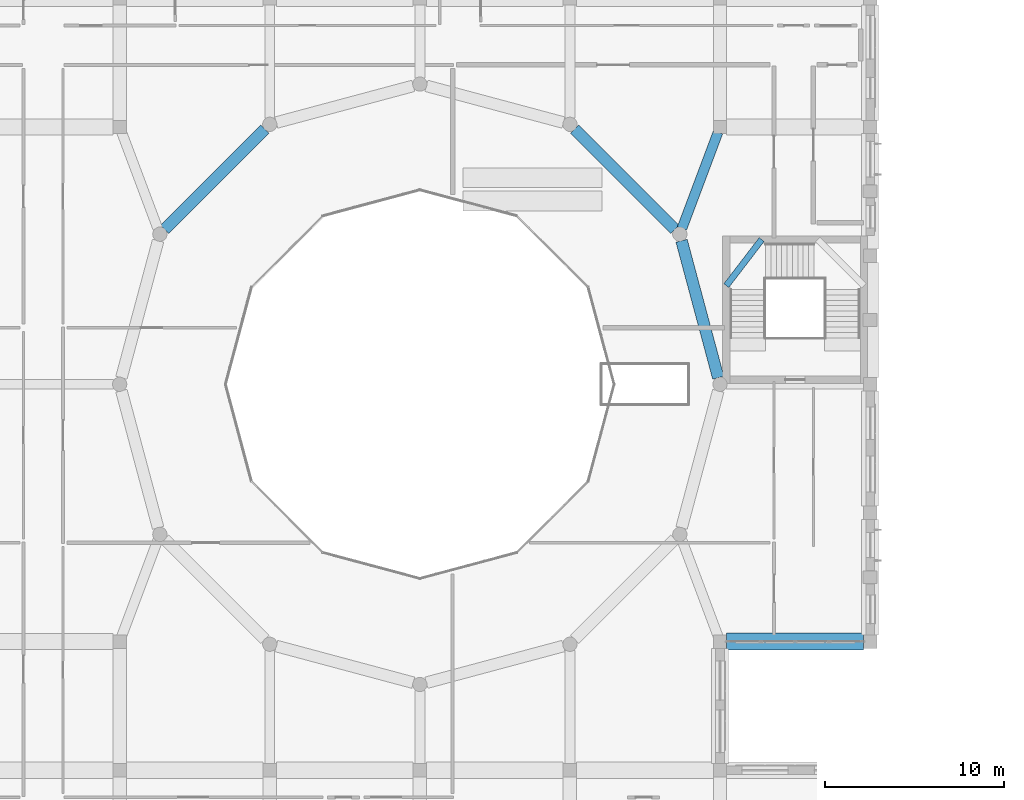
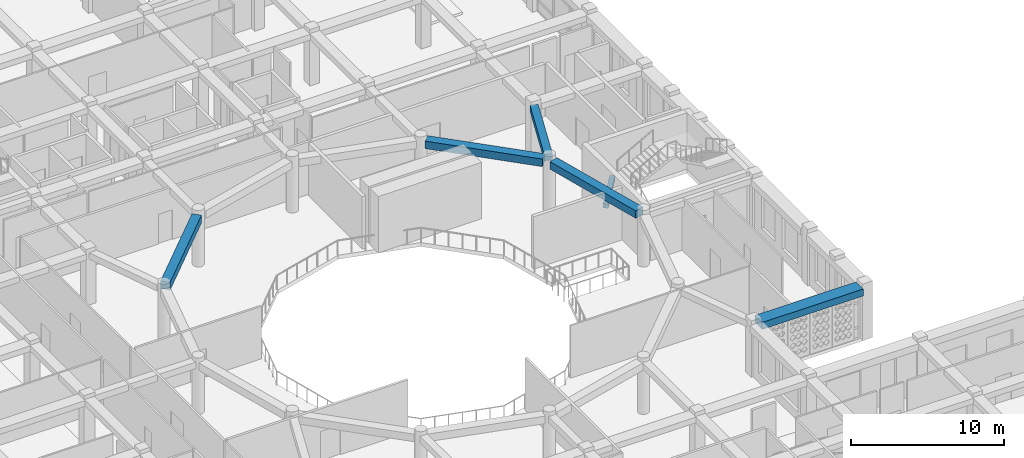
# One storey, part 35 of 121: 6 beams.
"""IFC4 building model written with IfcOpenShell, lengths in metres."""

from ifc_helpers import new_model, si_unit, derived_unit, direction, frame, origin, origin_2d, place, context, subcontext, project, spatial, rectangle, extrude, material, material_profile, profile_set, type_object, element, save


model = new_model("IFC4")

# Units and contexts
model_context = context("Model", 3, precision=1e-05, world=origin(), true_north=direction((0.0, 1.0)))
body_context = subcontext(model_context, "Body", "Model", "MODEL_VIEW")
ifc_project = project(units=[si_unit("LENGTHUNIT", "METRE"), si_unit("AREAUNIT", "SQUARE_METRE"), si_unit("VOLUMEUNIT", "CUBIC_METRE"), si_unit("PLANEANGLEUNIT", "RADIAN"), si_unit("MASSUNIT", "GRAM", prefix="KILO"), derived_unit("THERMALTRANSMITTANCEUNIT", [(si_unit("POWERUNIT", "WATT"), 1), (si_unit("LENGTHUNIT", "METRE"), -2), (si_unit("THERMODYNAMICTEMPERATUREUNIT", "KELVIN"), -1)])], contexts=[model_context])

# Site, building, storey
site_placement = place(None, origin())
site = spatial("IfcSite", under=ifc_project, at=site_placement, CompositionType="ELEMENT")
building_placement = place(site_placement, origin())
building = spatial("IfcBuilding", under=site, at=building_placement, Name="Veybourne Emporium", CompositionType="ELEMENT")
storey_placement = place(building_placement, frame((0.0, 0.0, 5.39990234375)))
storey = spatial("IfcBuildingStorey", under=building, at=storey_placement, Name="L01", CompositionType="ELEMENT", Elevation=5.39990234375)

# Beams
ifc_material = material(Name="Concrete C32/40", Category="concrete")
ifc_material_profile_1 = material_profile(ifc_material, rectangle(XDim=0.35009765625, YDim=0.35009765625, at=origin_2d()), Name="RC 350x350")
ifc_profile_set_1 = profile_set([ifc_material_profile_1], Name="Concrete C32/40")
beam_type_1 = type_object("IfcBeamType", Name="LandingBeam_LB-01", PredefinedType="BEAM", material=ifc_profile_set_1)
beam_1_placement = place(storey_placement, frame((92.75, 55.919921875, 1.125), z_axis=(0.608803403446, 0.793321130409, 0.0), x_axis=(-0.793321130409, 0.608803403446, 0.0)))
element("IfcBeam", 1, at=beam_1_placement, inside=storey, type_object=beam_type_1, Name="L01 ST-07 landing 1 support beam", PredefinedType="BEAM", context=body_context, shape_type="SweptSolid", body=[
    extrude(rectangle(XDim=0.35009765625, YDim=0.35009765625, at=origin_2d()), origin(), (0.0, 0.0, 1.0), 3.252197265625),
])
ifc_material_profile_2 = material_profile(ifc_material, rectangle(XDim=0.949951171875, YDim=0.550048828125, at=origin_2d()), Name="RC 950x550")
ifc_profile_set_2 = profile_set([ifc_material_profile_2], Name="Concrete C32/40")
beam_type_2 = type_object("IfcBeamType", Name="RCBeam_EB-01", PredefinedType="SPANDREL", material=ifc_profile_set_2)
beam_2_placement = place(storey_placement, frame((92.77490234375, 36.0, 3.905029296875), z_axis=(1.0, 0.0, 0.0), x_axis=(0.0, 1.0, 0.0)))
element("IfcBeam", 2, at=beam_2_placement, inside=storey, type_object=beam_type_2, Name="L01 X-grid beam EB-01 (11,5)", PredefinedType="SPANDREL", context=body_context, shape_type="SweptSolid", body=[
    extrude(rectangle(XDim=0.949951171875, YDim=0.550048828125, at=origin_2d()), origin(), (0.0, 0.0, 1.0), 7.650146484375),
])
ifc_material_profile_3 = material_profile(ifc_material, rectangle(XDim=0.64990234375, YDim=0.60009765625, at=origin_2d()), Name="RC 650x600")
ifc_profile_set_3 = profile_set([ifc_material_profile_3], Name="Concrete C32/40")
beam_type_3 = type_object("IfcBeamType", Name="RCBeam_EB-02", PredefinedType="BEAM", material=ifc_profile_set_3)
for number, where, z_axis, x_axis, name in (
    (3, (92.3017578125, 50.76708984375, 3.880126953125), (-0.258838083332, 0.96592072481, 0.0), (-0.96592072481, -0.258838083332, 0.0), "Atrium ring beam EB-02 L01-01"),
    (4, (89.880615234375, 59.068603515625, 3.880126953125), (-0.707106781187, 0.707106781187, 0.0), (-0.707106781187, -0.707106781187, 0.0), "Atrium ring beam EB-02 L01-02"),
    (5, (66.931396484375, 64.680419921875, 3.880126953125), (-0.707106781187, -0.707106781187, 0.0), (0.707106781187, -0.707106781187, 0.0), "Atrium ring beam EB-02 L01-05"),
):
    element("IfcBeam", number, at=place(storey_placement, frame(where, z_axis=z_axis, x_axis=x_axis)), inside=storey, type_object=beam_type_3, Name=name, PredefinedType="BEAM", context=body_context, shape_type="SweptSolid", body=[
        extrude(rectangle(XDim=0.64990234375, YDim=0.60009765625, at=origin_2d()), origin(), (0.0, 0.0, 1.0), 7.936279296875),
    ])
ifc_material_profile_4 = material_profile(ifc_material, rectangle(XDim=0.550048828125, YDim=0.5, at=origin_2d()), Name="RC 550x500")
ifc_profile_set_4 = profile_set([ifc_material_profile_4], Name="Concrete C32/40")
beam_type_4 = type_object("IfcBeamType", Name="RCBeam_TB-01", PredefinedType="BEAM", material=ifc_profile_set_4)
beam_3_placement = place(storey_placement, frame((90.2685546875, 59.118408203125, 3.93017578125), z_axis=(0.351235049133, 0.936287317152, 0.0), x_axis=(-0.936287317152, 0.351235049133, 0.0)))
element("IfcBeam", 6, at=beam_3_placement, inside=storey, type_object=beam_type_4, Name="Atrium radial tie beam L01-02", PredefinedType="BEAM", context=body_context, shape_type="SweptSolid", body=[
    extrude(rectangle(XDim=0.550048828125, YDim=0.5, at=origin_2d()), origin(), (0.0, 0.0, 1.0), 5.753173828125),
])

save(model, "model.ifc")
